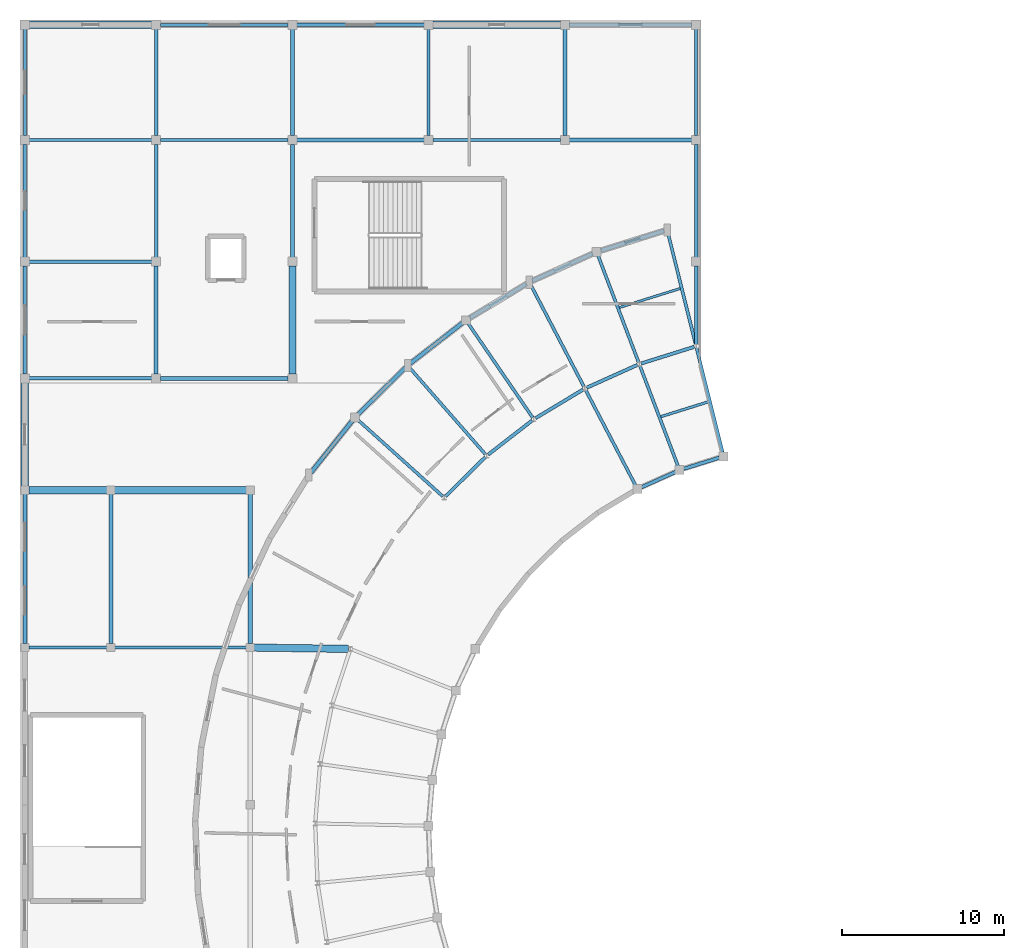
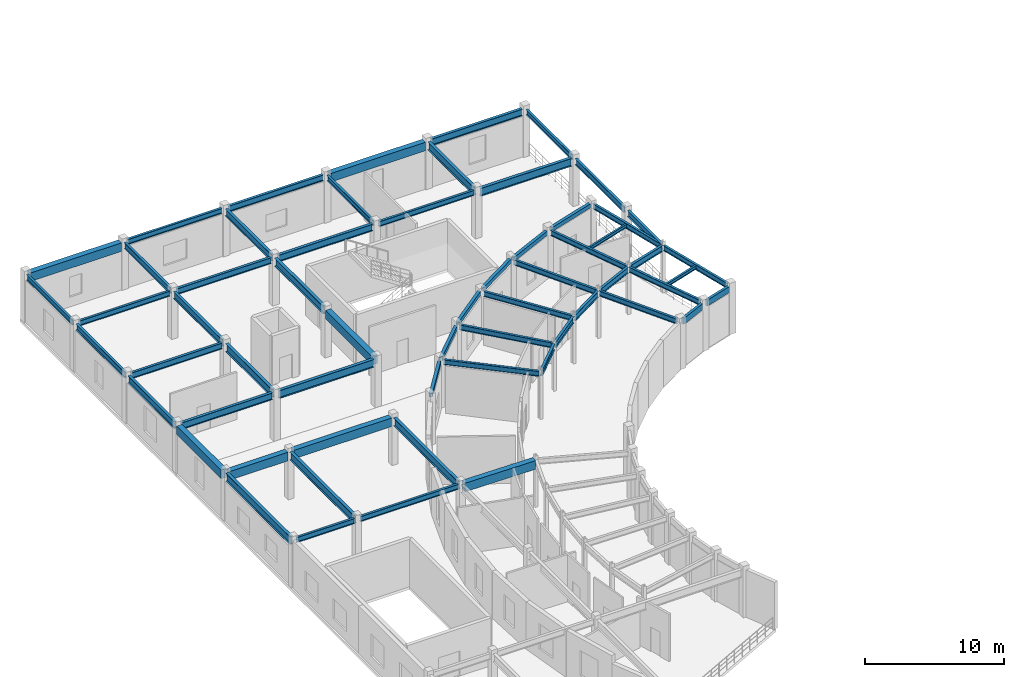
# One storey, part 25 of 60: 60 beams.
"""IFC4 building model written with IfcOpenShell, lengths in metres."""

from ifc_helpers import new_model, si_unit, direction, frame, origin, origin_2d, place, context, subcontext, project, spatial, rectangle, hollow_rectangle, i_section, extrude, material, material_profile, profile_set, type_object, element, save


model = new_model("IFC4")

# Units and contexts
model_context = context("Model", 3, precision=1e-05, world=origin(), true_north=direction((0.0, 1.0)))
body_context = subcontext(model_context, "Body", "Model", "MODEL_VIEW")
ifc_project = project(units=[si_unit("LENGTHUNIT", "METRE"), si_unit("AREAUNIT", "SQUARE_METRE"), si_unit("VOLUMEUNIT", "CUBIC_METRE"), si_unit("PLANEANGLEUNIT", "RADIAN"), si_unit("MASSUNIT", "GRAM", prefix="KILO")], contexts=[model_context])

# Site, building, storey
site_placement = place(None, origin())
site = spatial("IfcSite", under=ifc_project, at=site_placement, CompositionType="ELEMENT")
building_placement = place(site_placement, origin())
building = spatial("IfcBuilding", under=site, at=building_placement, Name="Cinderbank Siding Concert Hall", CompositionType="ELEMENT")
storey_placement = place(building_placement, frame((0.0, 0.0, 14.699951171875)))
storey = spatial("IfcBuildingStorey", under=building, at=storey_placement, Name="L04", CompositionType="ELEMENT", Elevation=14.699951171875)

# Beams
ifc_material_1 = material(Name="Reinforced concrete AS 3600 N50 (50 MPa)", Category="concrete")
ifc_material_profile_1 = material_profile(ifc_material_1, rectangle(XDim=0.449951171875, YDim=0.75, at=origin_2d()), Name="RC-BM-450x750", Category="LoadBearing")
ifc_profile_set_1 = profile_set([ifc_material_profile_1], Name="Reinforced concrete AS 3600 N50 (50 MPa)")
beam_type_1 = type_object("IfcBeamType", Name="BM-RC750 RC-BM-450x750", PredefinedType="BEAM", material=ifc_profile_set_1)
beam_1_placement = place(storey_placement, frame((7.366943359375, 117.89990234375, 3.787109375), z_axis=(1.0, 0.0, 0.0), x_axis=(0.0, 1.0, 0.0)))
element("IfcBeam", 1, at=beam_1_placement, inside=storey, type_object=beam_type_1, Name="L04 Beam BM-RC750 #1858", PredefinedType="BEAM", context=body_context, shape_type="SweptSolid", body=[
    extrude(rectangle(XDim=0.449951171875, YDim=0.75, at=origin_2d()), origin(), (0.0, 0.0, 1.0), 7.566162109375),
])
beam_2_placement = place(storey_placement, frame((23.60009765625, 96.366943359375, 3.787109375), z_axis=(0.0, 1.0, 0.0), x_axis=(-1.0, 0.0, 0.0)))
element("IfcBeam", 2, at=beam_2_placement, inside=storey, type_object=beam_type_1, Name="L04 Beam BM-RC750 #1865", PredefinedType="BEAM", context=body_context, shape_type="SweptSolid", body=[
    extrude(rectangle(XDim=0.449951171875, YDim=0.75, at=origin_2d()), origin(), (0.0, 0.0, 1.0), 6.666015625),
])
beam_3_placement = place(storey_placement, frame((32.26708984375, 117.89990234375, 3.787109375), z_axis=(1.0, 0.0, 0.0), x_axis=(0.0, 1.0, 0.0)))
element("IfcBeam", 3, at=beam_3_placement, inside=storey, type_object=beam_type_1, Name="L04 Beam BM-RC750 #1872", PredefinedType="BEAM", context=body_context, shape_type="SweptSolid", body=[
    extrude(rectangle(XDim=0.449951171875, YDim=0.75, at=origin_2d()), origin(), (0.0, 0.0, 1.0), 7.865966796875),
])
beam_4_placement = place(storey_placement, frame((7.342041015625, 89.199951171875, 3.797119140625), z_axis=(1.0, 0.0, 0.0), x_axis=(0.0, 1.0, 0.0)))
element("IfcBeam", 4, at=beam_4_placement, inside=storey, type_object=beam_type_1, Name="L04 Beam BM-RC750 #1885", PredefinedType="BEAM", context=body_context, shape_type="SweptSolid", body=[
    extrude(rectangle(XDim=0.449951171875, YDim=0.75, at=origin_2d()), origin(), (0.0, 0.0, 1.0), 4.81591796875),
])
beam_5_placement = place(storey_placement, frame((7.10009765625, 89.44189453125, 3.787109375), z_axis=(0.0, 1.0, 0.0), x_axis=(-1.0, 0.0, 0.0)))
element("IfcBeam", 5, at=beam_5_placement, inside=storey, type_object=beam_type_1, Name="L04 Beam BM-RC750 #1886", PredefinedType="BEAM", context=body_context, shape_type="SweptSolid", body=[
    extrude(rectangle(XDim=0.449951171875, YDim=0.75, at=origin_2d()), origin(), (0.0, 0.0, 1.0), 6.39111328125),
])
beam_6_placement = place(storey_placement, frame((12.64208984375, 89.199951171875, 3.797119140625), z_axis=(1.0, 0.0, 0.0), x_axis=(0.0, 1.0, 0.0)))
element("IfcBeam", 6, at=beam_6_placement, inside=storey, type_object=beam_type_1, Name="L04 Beam BM-RC750 #1894", PredefinedType="BEAM", context=body_context, shape_type="SweptSolid", body=[
    extrude(rectangle(XDim=0.449951171875, YDim=0.75, at=origin_2d()), origin(), (0.0, 0.0, 1.0), 8.115966796875),
])
beam_7_placement = place(storey_placement, frame((21.241943359375, 79.49658203125, 3.787109375), z_axis=(0.999898727194, -0.014231491667, 0.0), x_axis=(0.014231491667, 0.999898727194, 0.0)))
element("IfcBeam", 7, at=beam_7_placement, inside=storey, type_object=beam_type_1, Name="L04 Beam BM-RC750 #1900", PredefinedType="BEAM", context=body_context, shape_type="SweptSolid", body=[
    extrude(rectangle(XDim=0.449951171875, YDim=0.75, at=origin_2d()), origin(), (0.0, 0.0, 1.0), 5.8154296875),
])
ifc_material_2 = material(Name="Structural steel AS/NZS 3679.1 Grade 350 (340 MPa)", Category="steel")
ifc_material_profile_2 = material_profile(ifc_material_2, i_section(OverallWidth=0.18994140625, OverallDepth=0.45751953125, WebThickness=0.009033203125, FlangeThickness=0.014404296875, at=origin_2d()), Name="460UB74.6", Category="LoadBearing")
ifc_profile_set_2 = profile_set([ifc_material_profile_2], Name="Structural steel AS/NZS 3679.1 Grade 350 (340 MPa)")
beam_type_2 = type_object("IfcBeamType", Name="BM-UB460 460UB74.6", PredefinedType="BEAM", material=ifc_profile_set_2)
beam_8_placement = place(storey_placement, frame((50.12939453125, 91.546142578125, 3.933349609375), z_axis=(-0.241953596761, 0.970287821739, 0.0), x_axis=(-0.970287821739, -0.241953596761, 0.0)))
element("IfcBeam", 8, at=beam_8_placement, inside=storey, type_object=beam_type_2, Name="L04 Beam BM-UB460 #1025", PredefinedType="BEAM", context=body_context, shape_type="SweptSolid", body=[
    extrude(i_section(OverallWidth=0.18994140625, OverallDepth=0.45751953125, WebThickness=0.009033203125, FlangeThickness=0.014404296875, at=origin_2d()), origin(), (0.0, 0.0, 1.0), 6.61328125),
])
beam_9_placement = place(storey_placement, frame((47.382568359375, 90.685302734375, 3.933349609375), z_axis=(-0.355109367134, 0.934824762923, 0.0), x_axis=(-0.934824762923, -0.355109367134, 0.0)))
element("IfcBeam", 9, at=beam_9_placement, inside=storey, type_object=beam_type_2, Name="L04 Beam BM-UB460 #1026", PredefinedType="BEAM", context=body_context, shape_type="SweptSolid", body=[
    extrude(i_section(OverallWidth=0.18994140625, OverallDepth=0.45751953125, WebThickness=0.009033203125, FlangeThickness=0.014404296875, at=origin_2d()), origin(), (0.0, 0.0, 1.0), 6.613037109375),
])
beam_10_placement = place(storey_placement, frame((48.471435546875, 98.195556640625, 3.933349609375), z_axis=(-0.241935844922, 0.970292248213, 0.0), x_axis=(-0.970292248213, -0.241935844922, 0.0)))
element("IfcBeam", 10, at=beam_10_placement, inside=storey, type_object=beam_type_2, Name="L04 Beam BM-UB460 #1028", PredefinedType="BEAM", context=body_context, shape_type="SweptSolid", body=[
    extrude(i_section(OverallWidth=0.18994140625, OverallDepth=0.45751953125, WebThickness=0.009033203125, FlangeThickness=0.014404296875, at=origin_2d()), origin(), (0.0, 0.0, 1.0), 7.087890625),
])
beam_11_placement = place(storey_placement, frame((44.94921875, 97.091796875, 3.933349609375), z_axis=(-0.355122240395, 0.934819872691, 0.0), x_axis=(-0.934819872691, -0.355122240395, 0.0)))
element("IfcBeam", 11, at=beam_11_placement, inside=storey, type_object=beam_type_2, Name="L04 Beam BM-UB460 #1029", PredefinedType="BEAM", context=body_context, shape_type="SweptSolid", body=[
    extrude(i_section(OverallWidth=0.18994140625, OverallDepth=0.45751953125, WebThickness=0.009033203125, FlangeThickness=0.014404296875, at=origin_2d()), origin(), (0.0, 0.0, 1.0), 7.012939453125),
])
beam_12_placement = place(storey_placement, frame((44.757080078125, 89.505615234375, 3.933349609375), z_axis=(-0.463296384832, 0.886203396406, 0.0), x_axis=(-0.886203396406, -0.463296384832, 0.0)))
element("IfcBeam", 12, at=beam_12_placement, inside=storey, type_object=beam_type_2, Name="L04 Beam BM-UB460 #1034", PredefinedType="BEAM", context=body_context, shape_type="SweptSolid", body=[
    extrude(i_section(OverallWidth=0.18994140625, OverallDepth=0.45751953125, WebThickness=0.009033203125, FlangeThickness=0.014404296875, at=origin_2d()), origin(), (0.0, 0.0, 1.0), 6.61279296875),
])
beam_13_placement = place(storey_placement, frame((41.582275390625, 95.57861328125, 3.933349609375), z_axis=(-0.46330154949, 0.886200696366, 0.0), x_axis=(-0.886200696366, -0.46330154949, 0.0)))
element("IfcBeam", 13, at=beam_13_placement, inside=storey, type_object=beam_type_2, Name="L04 Beam BM-UB460 #1035", PredefinedType="BEAM", context=body_context, shape_type="SweptSolid", body=[
    extrude(i_section(OverallWidth=0.18994140625, OverallDepth=0.45751953125, WebThickness=0.009033203125, FlangeThickness=0.014404296875, at=origin_2d()), origin(), (0.0, 0.0, 1.0), 7.088134765625),
])
beam_14_placement = place(storey_placement, frame((38.418212890625, 93.677490234375, 3.933349609375), z_axis=(-0.564964678177, 0.825115090404, 0.0), x_axis=(-0.825115090404, -0.564964678177, 0.0)))
element("IfcBeam", 14, at=beam_14_placement, inside=storey, type_object=beam_type_2, Name="L04 Beam BM-UB460 #1038", PredefinedType="BEAM", context=body_context, shape_type="SweptSolid", body=[
    extrude(i_section(OverallWidth=0.18994140625, OverallDepth=0.45751953125, WebThickness=0.009033203125, FlangeThickness=0.014404296875, at=origin_2d()), origin(), (0.0, 0.0, 1.0), 7.01318359375),
])
beam_15_placement = place(storey_placement, frame((35.501708984375, 91.415283203125, 3.933349609375), z_axis=(-0.658709419327, 0.752397435462, 0.0), x_axis=(-0.752397435462, -0.658709419327, 0.0)))
element("IfcBeam", 15, at=beam_15_placement, inside=storey, type_object=beam_type_2, Name="L04 Beam BM-UB460 #1041", PredefinedType="BEAM", context=body_context, shape_type="SweptSolid", body=[
    extrude(i_section(OverallWidth=0.18994140625, OverallDepth=0.45751953125, WebThickness=0.009033203125, FlangeThickness=0.014404296875, at=origin_2d()), origin(), (0.0, 0.0, 1.0), 7.088134765625),
])
beam_16_placement = place(storey_placement, frame((32.873291015625, 88.8232421875, 3.933349609375), z_axis=(-0.74314352947, 0.669132045718, 0.0), x_axis=(-0.669132045718, -0.74314352947, 0.0)))
element("IfcBeam", 16, at=beam_16_placement, inside=storey, type_object=beam_type_2, Name="L04 Beam BM-UB460 #1044", PredefinedType="BEAM", context=body_context, shape_type="SweptSolid", body=[
    extrude(i_section(OverallWidth=0.18994140625, OverallDepth=0.45751953125, WebThickness=0.009033203125, FlangeThickness=0.014404296875, at=origin_2d()), origin(), (0.0, 0.0, 1.0), 7.012939453125),
])
beam_17_placement = place(storey_placement, frame((7.366943359375, 110.800048828125, 3.933349609375), z_axis=(1.0, 0.0, 0.0), x_axis=(0.0, 1.0, 0.0)))
element("IfcBeam", 17, at=beam_17_placement, inside=storey, type_object=beam_type_2, Name="L04 Beam BM-UB460 #1856", PredefinedType="BEAM", context=body_context, shape_type="SweptSolid", body=[
    extrude(i_section(OverallWidth=0.18994140625, OverallDepth=0.45751953125, WebThickness=0.009033203125, FlangeThickness=0.014404296875, at=origin_2d()), origin(), (0.0, 0.0, 1.0), 7.566162109375),
])
beam_18_placement = place(storey_placement, frame((7.10009765625, 111.06689453125, 3.933349609375), z_axis=(0.0, 1.0, 0.0), x_axis=(-1.0, 0.0, 0.0)))
element("IfcBeam", 18, at=beam_18_placement, inside=storey, type_object=beam_type_2, Name="L04 Beam BM-UB460 #1857", PredefinedType="BEAM", context=body_context, shape_type="SweptSolid", body=[
    extrude(i_section(OverallWidth=0.18994140625, OverallDepth=0.45751953125, WebThickness=0.009033203125, FlangeThickness=0.014404296875, at=origin_2d()), origin(), (0.0, 0.0, 1.0), 6.566162109375),
])
for number, where, z_axis, x_axis, name in (
    (19, (15.467041015625, 117.89990234375, 3.933349609375), (1.0, 0.0, 0.0), (0.0, 1.0, 0.0), "L04 Beam BM-UB460 #1864"),
    (20, (32.26708984375, 110.800048828125, 3.933349609375), (1.0, 0.0, 0.0), (0.0, 1.0, 0.0), "L04 Beam BM-UB460 #1870"),
):
    element("IfcBeam", number, at=place(storey_placement, frame(where, z_axis=z_axis, x_axis=x_axis)), inside=storey, type_object=beam_type_2, Name=name, PredefinedType="BEAM", context=body_context, shape_type="SweptSolid", body=[
        extrude(i_section(OverallWidth=0.18994140625, OverallDepth=0.45751953125, WebThickness=0.009033203125, FlangeThickness=0.014404296875, at=origin_2d()), origin(), (0.0, 0.0, 1.0), 7.865966796875),
    ])
for number, where, z_axis, x_axis, name in (
    (21, (32.0, 111.06689453125, 3.933349609375), (0.0, 1.0, 0.0), (-1.0, 0.0, 0.0), "L04 Beam BM-UB460 #1871"),
    (22, (48.5, 111.06689453125, 3.933349609375), (0.0, 1.0, 0.0), (-1.0, 0.0, 0.0), "L04 Beam BM-UB460 #1877"),
):
    element("IfcBeam", number, at=place(storey_placement, frame(where, z_axis=z_axis, x_axis=x_axis)), inside=storey, type_object=beam_type_2, Name=name, PredefinedType="BEAM", context=body_context, shape_type="SweptSolid", body=[
        extrude(i_section(OverallWidth=0.18994140625, OverallDepth=0.45751953125, WebThickness=0.009033203125, FlangeThickness=0.014404296875, at=origin_2d()), origin(), (0.0, 0.0, 1.0), 6.566162109375),
    ])
beam_19_placement = place(storey_placement, frame((7.342041015625, 79.5, 3.943359375), z_axis=(1.0, 0.0, 0.0), x_axis=(0.0, 1.0, 0.0)))
element("IfcBeam", 23, at=beam_19_placement, inside=storey, type_object=beam_type_2, Name="L04 Beam BM-UB460 #1883", PredefinedType="BEAM", context=body_context, shape_type="SweptSolid", body=[
    extrude(i_section(OverallWidth=0.18994140625, OverallDepth=0.45751953125, WebThickness=0.009033203125, FlangeThickness=0.014404296875, at=origin_2d()), origin(), (0.0, 0.0, 1.0), 4.81591796875),
])
beam_20_placement = place(storey_placement, frame((12.64208984375, 79.5, 3.933349609375), z_axis=(1.0, 0.0, 0.0), x_axis=(0.0, 1.0, 0.0)))
element("IfcBeam", 24, at=beam_20_placement, inside=storey, type_object=beam_type_2, Name="L04 Beam BM-UB460 #1892", PredefinedType="BEAM", context=body_context, shape_type="SweptSolid", body=[
    extrude(i_section(OverallWidth=0.18994140625, OverallDepth=0.45751953125, WebThickness=0.009033203125, FlangeThickness=0.014404296875, at=origin_2d()), origin(), (0.0, 0.0, 1.0), 8.115966796875),
])
ifc_material_profile_3 = material_profile(ifc_material_2, i_section(OverallWidth=0.208984375, OverallDepth=0.5283203125, WebThickness=0.009521484375, FlangeThickness=0.01318359375, at=origin_2d()), Name="530UB82.0", Category="LoadBearing")
ifc_profile_set_3 = profile_set([ifc_material_profile_3], Name="Structural steel AS/NZS 3679.1 Grade 350 (340 MPa)")
beam_type_3 = type_object("IfcBeamType", Name="BM-UB530 530UB82.0", PredefinedType="BEAM", material=ifc_profile_set_3)
beam_21_placement = place(storey_placement, frame((48.385986328125, 98.043212890625, 3.89794921875), z_axis=(-0.954239526016, -0.299043353024, 0.0), x_axis=(0.299043353024, -0.954239526016, 0.0)))
element("IfcBeam", 25, at=beam_21_placement, inside=storey, type_object=beam_type_3, Name="L04 Beam BM-UB530 #1023", PredefinedType="BEAM", context=body_context, shape_type="SweptSolid", body=[
    extrude(i_section(OverallWidth=0.208984375, OverallDepth=0.5283203125, WebThickness=0.009521484375, FlangeThickness=0.01318359375, at=origin_2d()), origin(), (0.0, 0.0, 1.0), 3.43701171875),
])
for number, where, z_axis, x_axis, name in (
    (26, (44.882080078125, 96.930419921875, 3.89794921875), (-0.91210749432, -0.40995111758, 0.0), (0.40995111758, -0.91210749432, 0.0), "L04 Beam BM-UB530 #1032"),
    (27, (41.534912109375, 95.410400390625, 3.89794921875), (-0.857185648763, -0.515007537377, 0.0), (0.515007537377, -0.857185648763, 0.0), "L04 Beam BM-UB530 #1036"),
):
    element("IfcBeam", number, at=place(storey_placement, frame(where, z_axis=z_axis, x_axis=x_axis)), inside=storey, type_object=beam_type_3, Name=name, PredefinedType="BEAM", context=body_context, shape_type="SweptSolid", body=[
        extrude(i_section(OverallWidth=0.208984375, OverallDepth=0.5283203125, WebThickness=0.009521484375, FlangeThickness=0.01318359375, at=origin_2d()), origin(), (0.0, 0.0, 1.0), 3.436767578125),
    ])
beam_22_placement = place(storey_placement, frame((38.39111328125, 93.5048828125, 3.89794921875), z_axis=(-0.790177677978, -0.612877832218, 0.0), x_axis=(0.612877832218, -0.790177677978, 0.0)))
element("IfcBeam", 28, at=beam_22_placement, inside=storey, type_object=beam_type_3, Name="L04 Beam BM-UB530 #1039", PredefinedType="BEAM", context=body_context, shape_type="SweptSolid", body=[
    extrude(i_section(OverallWidth=0.208984375, OverallDepth=0.5283203125, WebThickness=0.009521484375, FlangeThickness=0.01318359375, at=origin_2d()), origin(), (0.0, 0.0, 1.0), 3.43701171875),
])
beam_23_placement = place(storey_placement, frame((35.4951171875, 91.240478515625, 3.89794921875), z_axis=(-0.712061795805, -0.702116798656, 0.0), x_axis=(0.702116798656, -0.712061795805, 0.0)))
element("IfcBeam", 29, at=beam_23_placement, inside=storey, type_object=beam_type_3, Name="L04 Beam BM-UB530 #1042", PredefinedType="BEAM", context=body_context, shape_type="SweptSolid", body=[
    extrude(i_section(OverallWidth=0.208984375, OverallDepth=0.5283203125, WebThickness=0.009521484375, FlangeThickness=0.01318359375, at=origin_2d()), origin(), (0.0, 0.0, 1.0), 3.436767578125),
])
beam_24_placement = place(storey_placement, frame((48.5, 98.198974609375, 3.89794921875), z_axis=(0.0, 1.0, 0.0), x_axis=(-1.0, 0.0, 0.0)))
element("IfcBeam", 30, at=beam_24_placement, inside=storey, type_object=beam_type_3, Name="L04 Beam BM-UB530 #1851", PredefinedType="BEAM", context=body_context, shape_type="SweptSolid", body=[
    extrude(i_section(OverallWidth=0.208984375, OverallDepth=0.5283203125, WebThickness=0.009521484375, FlangeThickness=0.01318359375, at=origin_2d()), origin(), (0.0, 0.0, 1.0), 4.833984375),
])
beam_25_placement = place(storey_placement, frame((7.366943359375, 103.300048828125, 3.89794921875), z_axis=(1.0, 0.0, 0.0), x_axis=(0.0, 1.0, 0.0)))
element("IfcBeam", 31, at=beam_25_placement, inside=storey, type_object=beam_type_3, Name="L04 Beam BM-UB530 #1854", PredefinedType="BEAM", context=body_context, shape_type="SweptSolid", body=[
    extrude(i_section(OverallWidth=0.208984375, OverallDepth=0.5283203125, WebThickness=0.009521484375, FlangeThickness=0.01318359375, at=origin_2d()), origin(), (0.0, 0.0, 1.0), 7.566162109375),
])
beam_26_placement = place(storey_placement, frame((7.10009765625, 103.56689453125, 3.89794921875), z_axis=(0.0, 1.0, 0.0), x_axis=(-1.0, 0.0, 0.0)))
element("IfcBeam", 32, at=beam_26_placement, inside=storey, type_object=beam_type_3, Name="L04 Beam BM-UB530 #1855", PredefinedType="BEAM", context=body_context, shape_type="SweptSolid", body=[
    extrude(i_section(OverallWidth=0.208984375, OverallDepth=0.5283203125, WebThickness=0.009521484375, FlangeThickness=0.01318359375, at=origin_2d()), origin(), (0.0, 0.0, 1.0), 6.966064453125),
])
beam_27_placement = place(storey_placement, frame((15.467041015625, 110.800048828125, 3.89794921875), z_axis=(1.0, 0.0, 0.0), x_axis=(0.0, 1.0, 0.0)))
element("IfcBeam", 33, at=beam_27_placement, inside=storey, type_object=beam_type_3, Name="L04 Beam BM-UB530 #1862", PredefinedType="BEAM", context=body_context, shape_type="SweptSolid", body=[
    extrude(i_section(OverallWidth=0.208984375, OverallDepth=0.5283203125, WebThickness=0.009521484375, FlangeThickness=0.01318359375, at=origin_2d()), origin(), (0.0, 0.0, 1.0), 7.865966796875),
])
beam_28_placement = place(storey_placement, frame((15.199951171875, 111.06689453125, 3.89794921875), z_axis=(0.0, 1.0, 0.0), x_axis=(-1.0, 0.0, 0.0)))
element("IfcBeam", 34, at=beam_28_placement, inside=storey, type_object=beam_type_3, Name="L04 Beam BM-UB530 #1863", PredefinedType="BEAM", context=body_context, shape_type="SweptSolid", body=[
    extrude(i_section(OverallWidth=0.208984375, OverallDepth=0.5283203125, WebThickness=0.009521484375, FlangeThickness=0.01318359375, at=origin_2d()), origin(), (0.0, 0.0, 1.0), 6.566162109375),
])
beam_29_placement = place(storey_placement, frame((23.866943359375, 117.89990234375, 3.89794921875), z_axis=(1.0, 0.0, 0.0), x_axis=(0.0, 1.0, 0.0)))
element("IfcBeam", 35, at=beam_29_placement, inside=storey, type_object=beam_type_3, Name="L04 Beam BM-UB530 #1869", PredefinedType="BEAM", context=body_context, shape_type="SweptSolid", body=[
    extrude(i_section(OverallWidth=0.208984375, OverallDepth=0.5283203125, WebThickness=0.009521484375, FlangeThickness=0.01318359375, at=origin_2d()), origin(), (0.0, 0.0, 1.0), 7.865966796875),
])
beam_30_placement = place(storey_placement, frame((48.5, 103.56689453125, 3.89794921875), z_axis=(0.0, 1.0, 0.0), x_axis=(-1.0, 0.0, 0.0)))
element("IfcBeam", 36, at=beam_30_placement, inside=storey, type_object=beam_type_3, Name="L04 Beam BM-UB530 #1876", PredefinedType="BEAM", context=body_context, shape_type="SweptSolid", body=[
    extrude(i_section(OverallWidth=0.208984375, OverallDepth=0.5283203125, WebThickness=0.009521484375, FlangeThickness=0.01318359375, at=origin_2d()), origin(), (0.0, 0.0, 1.0), 6.966064453125),
])
ifc_material_profile_4 = material_profile(ifc_material_2, i_section(OverallWidth=0.22802734375, OverallDepth=0.602294921875, WebThickness=0.010498046875, FlangeThickness=0.014892578125, at=origin_2d()), Name="610UB101", Category="LoadBearing")
ifc_profile_set_4 = profile_set([ifc_material_profile_4], Name="Structural steel AS/NZS 3679.1 Grade 350 (340 MPa)")
beam_type_4 = type_object("IfcBeamType", Name="BM-UB610 610UB101", PredefinedType="BEAM", material=ifc_profile_set_4)
beam_31_placement = place(storey_placement, frame((7.366943359375, 96.10009765625, 3.86083984375), z_axis=(1.0, 0.0, 0.0), x_axis=(0.0, 1.0, 0.0)))
element("IfcBeam", 37, at=beam_31_placement, inside=storey, type_object=beam_type_4, Name="L04 Beam BM-UB610 #1852", PredefinedType="BEAM", context=body_context, shape_type="SweptSolid", body=[
    extrude(i_section(OverallWidth=0.22802734375, OverallDepth=0.602294921875, WebThickness=0.010498046875, FlangeThickness=0.014892578125, at=origin_2d()), origin(), (0.0, 0.0, 1.0), 7.566162109375),
])
beam_32_placement = place(storey_placement, frame((7.10009765625, 96.366943359375, 3.86083984375), z_axis=(0.0, 1.0, 0.0), x_axis=(-1.0, 0.0, 0.0)))
element("IfcBeam", 38, at=beam_32_placement, inside=storey, type_object=beam_type_4, Name="L04 Beam BM-UB610 #1853", PredefinedType="BEAM", context=body_context, shape_type="SweptSolid", body=[
    extrude(i_section(OverallWidth=0.22802734375, OverallDepth=0.602294921875, WebThickness=0.010498046875, FlangeThickness=0.014892578125, at=origin_2d()), origin(), (0.0, 0.0, 1.0), 6.666015625),
])
beam_33_placement = place(storey_placement, frame((15.199951171875, 103.56689453125, 3.86083984375), z_axis=(0.0, 1.0, 0.0), x_axis=(-1.0, 0.0, 0.0)))
element("IfcBeam", 39, at=beam_33_placement, inside=storey, type_object=beam_type_4, Name="L04 Beam BM-UB610 #1861", PredefinedType="BEAM", context=body_context, shape_type="SweptSolid", body=[
    extrude(i_section(OverallWidth=0.22802734375, OverallDepth=0.602294921875, WebThickness=0.010498046875, FlangeThickness=0.014892578125, at=origin_2d()), origin(), (0.0, 0.0, 1.0), 6.966064453125),
])
beam_34_placement = place(storey_placement, frame((23.866943359375, 110.800048828125, 3.86083984375), z_axis=(1.0, 0.0, 0.0), x_axis=(0.0, 1.0, 0.0)))
element("IfcBeam", 40, at=beam_34_placement, inside=storey, type_object=beam_type_4, Name="L04 Beam BM-UB610 #1867", PredefinedType="BEAM", context=body_context, shape_type="SweptSolid", body=[
    extrude(i_section(OverallWidth=0.22802734375, OverallDepth=0.602294921875, WebThickness=0.010498046875, FlangeThickness=0.014892578125, at=origin_2d()), origin(), (0.0, 0.0, 1.0), 7.865966796875),
])
beam_35_placement = place(storey_placement, frame((23.60009765625, 111.06689453125, 3.86083984375), z_axis=(0.0, 1.0, 0.0), x_axis=(-1.0, 0.0, 0.0)))
element("IfcBeam", 41, at=beam_35_placement, inside=storey, type_object=beam_type_4, Name="L04 Beam BM-UB610 #1868", PredefinedType="BEAM", context=body_context, shape_type="SweptSolid", body=[
    extrude(i_section(OverallWidth=0.22802734375, OverallDepth=0.602294921875, WebThickness=0.010498046875, FlangeThickness=0.014892578125, at=origin_2d()), origin(), (0.0, 0.0, 1.0), 6.566162109375),
])
beam_36_placement = place(storey_placement, frame((40.6669921875, 117.89990234375, 3.86083984375), z_axis=(1.0, 0.0, 0.0), x_axis=(0.0, 1.0, 0.0)))
element("IfcBeam", 42, at=beam_36_placement, inside=storey, type_object=beam_type_4, Name="L04 Beam BM-UB610 #1875", PredefinedType="BEAM", context=body_context, shape_type="SweptSolid", body=[
    extrude(i_section(OverallWidth=0.22802734375, OverallDepth=0.602294921875, WebThickness=0.010498046875, FlangeThickness=0.014892578125, at=origin_2d()), origin(), (0.0, 0.0, 1.0), 7.56591796875),
])
ifc_material_3 = material(Name="Structural steel welded plate section AS/NZS 3679.2 / AS/NZS 3678 Grade 350 (340 MPa)", Category="steel")
ifc_material_profile_5 = material_profile(ifc_material_3, i_section(OverallWidth=0.25, OverallDepth=0.699951171875, WebThickness=0.010009765625, FlangeThickness=0.01611328125, at=origin_2d()), Name="700WB130", Category="LoadBearing")
ifc_profile_set_5 = profile_set([ifc_material_profile_5], Name="Structural steel welded plate section AS/NZS 3679.2 / AS/NZS 3678 Grade 350 (340 MPa)")
beam_type_5 = type_object("IfcBeamType", Name="BM-WB700 700WB130", PredefinedType="BEAM", material=ifc_profile_set_5)
beam_37_placement = place(storey_placement, frame((15.467041015625, 96.10009765625, 3.81201171875), z_axis=(1.0, 0.0, 0.0), x_axis=(0.0, 1.0, 0.0)))
element("IfcBeam", 43, at=beam_37_placement, inside=storey, type_object=beam_type_5, Name="L04 Beam BM-WB700 #1859", PredefinedType="BEAM", context=body_context, shape_type="SweptSolid", body=[
    extrude(i_section(OverallWidth=0.25, OverallDepth=0.699951171875, WebThickness=0.010009765625, FlangeThickness=0.01611328125, at=origin_2d()), origin(), (0.0, 0.0, 1.0), 7.865966796875),
])
beam_38_placement = place(storey_placement, frame((15.199951171875, 96.366943359375, 3.81201171875), z_axis=(0.0, 1.0, 0.0), x_axis=(-1.0, 0.0, 0.0)))
element("IfcBeam", 44, at=beam_38_placement, inside=storey, type_object=beam_type_5, Name="L04 Beam BM-WB700 #1860", PredefinedType="BEAM", context=body_context, shape_type="SweptSolid", body=[
    extrude(i_section(OverallWidth=0.25, OverallDepth=0.699951171875, WebThickness=0.010009765625, FlangeThickness=0.01611328125, at=origin_2d()), origin(), (0.0, 0.0, 1.0), 6.666015625),
])
beam_39_placement = place(storey_placement, frame((23.60009765625, 103.56689453125, 3.81201171875), z_axis=(0.0, 1.0, 0.0), x_axis=(-1.0, 0.0, 0.0)))
element("IfcBeam", 45, at=beam_39_placement, inside=storey, type_object=beam_type_5, Name="L04 Beam BM-WB700 #1866", PredefinedType="BEAM", context=body_context, shape_type="SweptSolid", body=[
    extrude(i_section(OverallWidth=0.25, OverallDepth=0.699951171875, WebThickness=0.010009765625, FlangeThickness=0.01611328125, at=origin_2d()), origin(), (0.0, 0.0, 1.0), 6.966064453125),
])
beam_40_placement = place(storey_placement, frame((40.6669921875, 110.800048828125, 3.81201171875), z_axis=(1.0, 0.0, 0.0), x_axis=(0.0, 1.0, 0.0)))
element("IfcBeam", 46, at=beam_40_placement, inside=storey, type_object=beam_type_5, Name="L04 Beam BM-WB700 #1873", PredefinedType="BEAM", context=body_context, shape_type="SweptSolid", body=[
    extrude(i_section(OverallWidth=0.25, OverallDepth=0.699951171875, WebThickness=0.010009765625, FlangeThickness=0.01611328125, at=origin_2d()), origin(), (0.0, 0.0, 1.0), 7.56591796875),
])
beam_41_placement = place(storey_placement, frame((40.39990234375, 111.06689453125, 3.81201171875), z_axis=(0.0, 1.0, 0.0), x_axis=(-1.0, 0.0, 0.0)))
element("IfcBeam", 47, at=beam_41_placement, inside=storey, type_object=beam_type_5, Name="L04 Beam BM-WB700 #1874", PredefinedType="BEAM", context=body_context, shape_type="SweptSolid", body=[
    extrude(i_section(OverallWidth=0.25, OverallDepth=0.699951171875, WebThickness=0.010009765625, FlangeThickness=0.01611328125, at=origin_2d()), origin(), (0.0, 0.0, 1.0), 6.566162109375),
])
for number, where, z_axis, x_axis, name in (
    (48, (7.10009765625, 79.741943359375, 3.822021484375), (0.0, 1.0, 0.0), (-1.0, 0.0, 0.0), "L04 Beam BM-WB700 #1884"),
    (49, (12.39990234375, 79.741943359375, 3.822021484375), (0.0, 1.0, 0.0), (-1.0, 0.0, 0.0), "L04 Beam BM-WB700 #1893"),
    (50, (21.0, 79.741943359375, 3.81201171875), (0.0, 1.0, 0.0), (-1.0, 0.0, 0.0), "L04 Beam BM-WB700 #1901"),
):
    element("IfcBeam", number, at=place(storey_placement, frame(where, z_axis=z_axis, x_axis=x_axis)), inside=storey, type_object=beam_type_5, Name=name, PredefinedType="BEAM", context=body_context, shape_type="SweptSolid", body=[
        extrude(i_section(OverallWidth=0.25, OverallDepth=0.699951171875, WebThickness=0.010009765625, FlangeThickness=0.01611328125, at=origin_2d()), origin(), (0.0, 0.0, 1.0), 9.216064453125),
    ])
ifc_material_profile_6 = material_profile(ifc_material_2, i_section(OverallWidth=0.1650390625, OverallDepth=0.303955078125, WebThickness=0.006103515625, FlangeThickness=0.01025390625, at=origin_2d()), Name="310UB40.4", Category="LoadBearing")
ifc_profile_set_6 = profile_set([ifc_material_profile_6], Name="Structural steel AS/NZS 3679.1 Grade 350 (340 MPa)")
beam_type_6 = type_object("IfcBeamType", Name="JS-UB310 310UB40.4", PredefinedType="JOIST", material=ifc_profile_set_6)
beam_42_placement = place(storey_placement, frame((49.26220703125, 94.656494140625, 4.010009765625), z_axis=(-0.954244423023, -0.299027726355, 0.0), x_axis=(0.299027726355, -0.954244423023, 0.0)))
element("IfcBeam", 51, at=beam_42_placement, inside=storey, type_object=beam_type_6, Name="L04 Beam JS-UB310 #1027", PredefinedType="JOIST", context=body_context, shape_type="SweptSolid", body=[
    extrude(i_section(OverallWidth=0.1650390625, OverallDepth=0.303955078125, WebThickness=0.006103515625, FlangeThickness=0.01025390625, at=origin_2d()), origin(), (0.0, 0.0, 1.0), 3.083740234375),
])
ifc_material_profile_7 = material_profile(ifc_material_2, i_section(OverallWidth=0.14892578125, OverallDepth=0.298095703125, WebThickness=0.005615234375, FlangeThickness=0.008056640625, at=origin_2d()), Name="310UB32.0", Category="LoadBearing")
ifc_profile_set_7 = profile_set([ifc_material_profile_7], Name="Structural steel AS/NZS 3679.1 Grade 350 (340 MPa)")
beam_type_7 = type_object("IfcBeamType", Name="JS-UB310L 310UB32.0", PredefinedType="JOIST", material=ifc_profile_set_7)
beam_43_placement = place(storey_placement, frame((47.5205078125, 101.642578125, 4.012939453125), z_axis=(-0.954250242352, -0.299009155331, 0.0), x_axis=(0.299009155331, -0.954250242352, 0.0)))
element("IfcBeam", 52, at=beam_43_placement, inside=storey, type_object=beam_type_7, Name="L04 Beam JS-UB310L #1030", PredefinedType="JOIST", context=body_context, shape_type="SweptSolid", body=[
    extrude(i_section(OverallWidth=0.14892578125, OverallDepth=0.298095703125, WebThickness=0.005615234375, FlangeThickness=0.008056640625, at=origin_2d()), origin(), (0.0, 0.0, 1.0), 3.93798828125),
])
ifc_material_4 = material(Name="Spotted gum glulam timber GL18 (42 MPa)", Category="wood")
ifc_material_profile_8 = material_profile(ifc_material_4, rectangle(XDim=0.215087890625, YDim=0.52001953125, at=origin_2d()), Name="GL18-215x520", Category="LoadBearing")
ifc_profile_set_8 = profile_set([ifc_material_profile_8], Name="Spotted gum glulam timber GL18 (42 MPa)")
beam_type_8 = type_object("IfcBeamType", Name="SP-GL520 GL18-215x520", PredefinedType="SPANDREL", material=ifc_profile_set_8)
beam_44_placement = place(storey_placement, frame((49.939208984375, 91.207275390625, 3.902099609375), z_axis=(-0.954239252467, -0.299044225911, 0.0), x_axis=(0.299044225911, -0.954239252467, 0.0)))
element("IfcBeam", 53, at=beam_44_placement, inside=storey, type_object=beam_type_8, Name="L04 Beam SP-GL520 #1022", PredefinedType="SPANDREL", context=body_context, shape_type="SweptSolid", body=[
    extrude(rectangle(XDim=0.215087890625, YDim=0.52001953125, at=origin_2d()), origin(), (0.0, 0.0, 1.0), 2.31298828125),
])
beam_45_placement = place(storey_placement, frame((47.23388671875, 90.326416015625, 3.902099609375), z_axis=(-0.912118930481, -0.409925672113, 0.0), x_axis=(0.409925672113, -0.912118930481, 0.0)))
element("IfcBeam", 54, at=beam_45_placement, inside=storey, type_object=beam_type_8, Name="L04 Beam SP-GL520 #1031", PredefinedType="SPANDREL", context=body_context, shape_type="SweptSolid", body=[
    extrude(rectangle(XDim=0.215087890625, YDim=0.52001953125, at=origin_2d()), origin(), (0.0, 0.0, 1.0), 2.3125),
])
ifc_material_5 = material(Name="Structural steel hollow section AS/NZS 1163 Grade C350L0 (350 MPa)", Category="steel")
ifc_material_profile_9 = material_profile(ifc_material_5, hollow_rectangle(XDim=0.25, YDim=0.35009765625, WallThickness=0.012451171875, at=origin_2d()), Name="350x250x12.5RHS", Category="LoadBearing")
ifc_profile_set_9 = profile_set([ifc_material_profile_9], Name="Structural steel hollow section AS/NZS 1163 Grade C350L0 (350 MPa)")
beam_type_9 = type_object("IfcBeamType", Name="SP-RHS350 350x250x12.5RHS", PredefinedType="SPANDREL", material=ifc_profile_set_9)
beam_46_placement = place(storey_placement, frame((46.527099609375, 105.201904296875, 3.987060546875), z_axis=(-0.954238908142, -0.299045324639, 0.0), x_axis=(0.299045324639, -0.954238908142, 0.0)))
element("IfcBeam", 55, at=beam_46_placement, inside=storey, type_object=beam_type_9, Name="L04 Beam SP-RHS350 #1024", PredefinedType="SPANDREL", context=body_context, shape_type="SweptSolid", body=[
    extrude(hollow_rectangle(XDim=0.25, YDim=0.35009765625, WallThickness=0.012451171875, at=origin_2d()), origin(), (0.0, 0.0, 1.0), 4.095947265625),
])
for number, where, z_axis, x_axis, name in (
    (56, (42.120361328125, 103.787841796875, 3.987060546875), (-0.912119926191, -0.409923456569, 0.0), (0.409923456569, -0.912119926191, 0.0), "L04 Beam SP-RHS350 #1033"),
    (57, (38.044921875, 101.931396484375, 4.087158203125), (-0.857177187434, -0.515021620267, 0.0), (0.515021620267, -0.857177187434, 0.0), "L04 Beam SP-RHS350 #1037"),
    (58, (34.09423828125, 99.520751953125, 4.087158203125), (-0.790166778688, -0.612891884314, 0.0), (0.612891884314, -0.790166778688, 0.0), "L04 Beam SP-RHS350 #1040"),
    (59, (30.569580078125, 96.7578125, 3.987060546875), (-0.712037071466, -0.702141872315, 0.0), (0.702141872315, -0.712037071466, 0.0), "L04 Beam SP-RHS350 #1043"),
):
    element("IfcBeam", number, at=place(storey_placement, frame(where, z_axis=z_axis, x_axis=x_axis)), inside=storey, type_object=beam_type_9, Name=name, PredefinedType="SPANDREL", context=body_context, shape_type="SweptSolid", body=[
        extrude(hollow_rectangle(XDim=0.25, YDim=0.35009765625, WallThickness=0.012451171875, at=origin_2d()), origin(), (0.0, 0.0, 1.0), 4.095703125),
    ])
beam_47_placement = place(storey_placement, frame((27.296630859375, 93.48583984375, 3.987060546875), z_axis=(-0.623895052122, -0.781508134275, 0.0), x_axis=(0.781508134275, -0.623895052122, 0.0)))
element("IfcBeam", 60, at=beam_47_placement, inside=storey, type_object=beam_type_9, Name="L04 Beam SP-RHS350 #1045", PredefinedType="SPANDREL", context=body_context, shape_type="SweptSolid", body=[
    extrude(hollow_rectangle(XDim=0.25, YDim=0.35009765625, WallThickness=0.012451171875, at=origin_2d()), origin(), (0.0, 0.0, 1.0), 4.095458984375),
])

save(model, "model.ifc")
